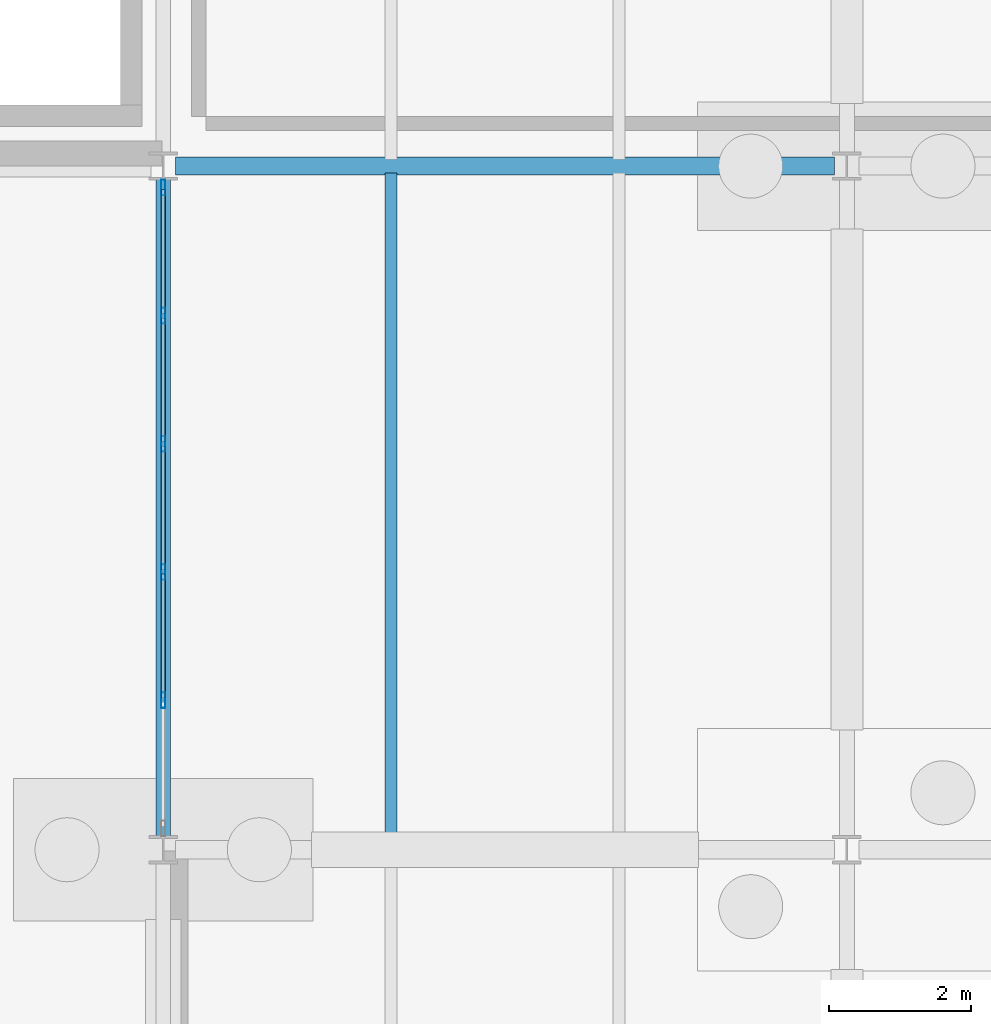
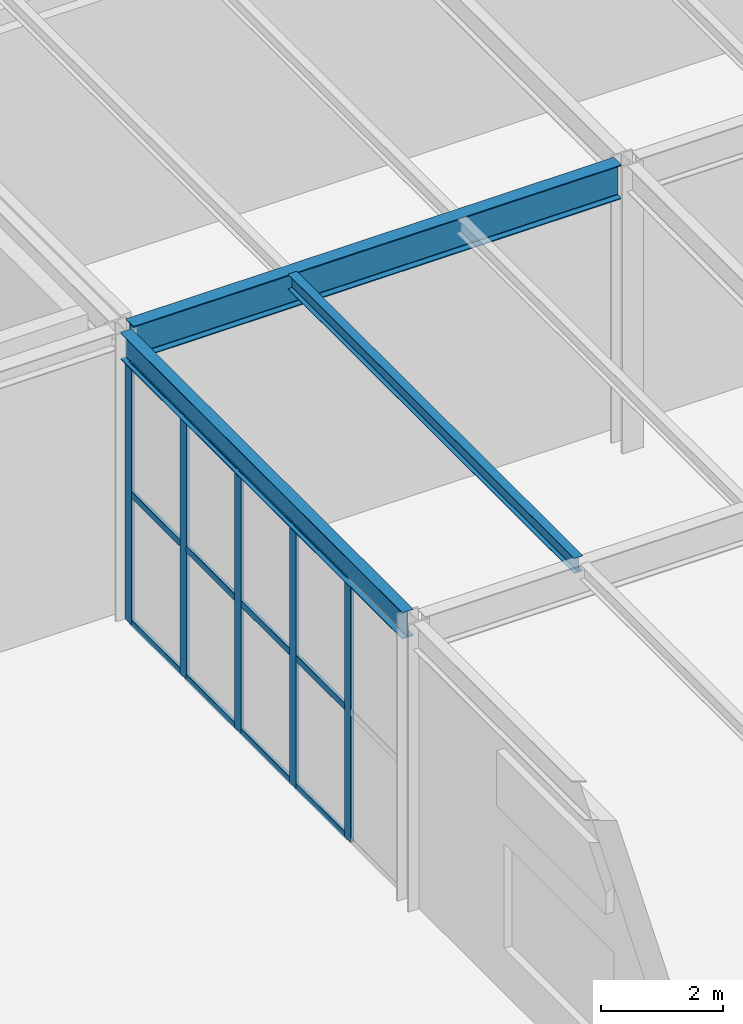
# One storey, part 89 of 142: 17 members, 3 beams, 1 element without a shape of its own.
"""IFC4 building model written with IfcOpenShell, lengths in metres."""

from ifc_helpers import new_model, si_unit, direction, frame, origin, origin_2d, place, context, subcontext, project, spatial, hollow_rectangle, i_section, extrude, material, material_profile, profile_set, type_object, element, aggregate, save


model = new_model("IFC4")

# Units and contexts
model_context = context("Model", 3, precision=1e-05, world=origin(), true_north=direction((0.0, 1.0)))
body_context = subcontext(model_context, "Body", "Model", "MODEL_VIEW")
ifc_project = project(units=[si_unit("LENGTHUNIT", "METRE"), si_unit("AREAUNIT", "SQUARE_METRE"), si_unit("VOLUMEUNIT", "CUBIC_METRE"), si_unit("PLANEANGLEUNIT", "RADIAN"), si_unit("MASSUNIT", "GRAM", prefix="KILO")], contexts=[model_context])

# Site, building, storey
site_placement = place(None, origin())
site = spatial("IfcSite", under=ifc_project, at=site_placement, CompositionType="ELEMENT")
building_placement = place(site_placement, origin())
building = spatial("IfcBuilding", under=site, at=building_placement, Name="Coralgate Yard Interchange", CompositionType="ELEMENT")
storey_placement = place(building_placement, origin())
storey = spatial("IfcBuildingStorey", under=building, at=storey_placement, Name="L00", CompositionType="ELEMENT", Elevation=0.0)

# Beams
ifc_material_1 = material(Name="Structural steel S355J2", Category="steel")
ifc_material_profile_1 = material_profile(ifc_material_1, i_section(OverallWidth=0.209228515625, OverallDepth=0.533203125, WebThickness=0.010009765625, FlangeThickness=0.015625, FilletRadius=0.0126953125, at=origin_2d()), Name="UB 533x210x92")
ifc_profile_set_1 = profile_set([ifc_material_profile_1], Name="Structural steel S355J2")
beam_type_1 = type_object("IfcBeamType", Name="BM-SB-1", PredefinedType="BEAM", material=ifc_profile_set_1)
beam_1_placement = place(storey_placement, frame((153.60009765625, 28.966796875, 5.4833984375), z_axis=(0.0, 1.0, 0.0), x_axis=(-1.0, 0.0, 0.0)))
element("IfcBeam", 1, at=beam_1_placement, inside=storey, type_object=beam_type_1, Name="L00 primary grid girder X16 Y3-4", PredefinedType="BEAM", context=body_context, shape_type="SweptSolid", body=[
    extrude(i_section(OverallWidth=0.209228515625, OverallDepth=0.533203125, WebThickness=0.010009765625, FlangeThickness=0.015625, FilletRadius=0.0126953125, at=origin_2d()), origin(), (0.0, 0.0, 1.0), 9.266357421875),
])
ifc_material_profile_2 = material_profile(ifc_material_1, i_section(OverallWidth=0.253662109375, OverallDepth=0.68359375, WebThickness=0.012451171875, FlangeThickness=0.01904296875, FilletRadius=0.01513671875, at=origin_2d()), Name="UB 686x254x140")
ifc_profile_set_2 = profile_set([ifc_material_profile_2], Name="Structural steel S355J2")
beam_type_2 = type_object("IfcBeamType", Name="BM-SG-4", PredefinedType="BEAM", material=ifc_profile_set_2)
beam_2_placement = place(storey_placement, frame((153.76953125, 38.39990234375, 5.408203125), z_axis=(1.0, 0.0, 0.0), x_axis=(0.0, 1.0, 0.0)))
element("IfcBeam", 2, at=beam_2_placement, inside=storey, type_object=beam_type_2, Name="L00 primary grid beam Y4 X16-17", PredefinedType="BEAM", context=body_context, shape_type="SweptSolid", body=[
    extrude(i_section(OverallWidth=0.253662109375, OverallDepth=0.68359375, WebThickness=0.012451171875, FlangeThickness=0.01904296875, FilletRadius=0.01513671875, at=origin_2d()), origin(), (0.0, 0.0, 1.0), 9.260986328125),
])
ifc_material_profile_3 = material_profile(ifc_material_1, i_section(OverallWidth=0.1650390625, OverallDepth=0.303466796875, WebThickness=0.006103515625, FlangeThickness=0.01025390625, FilletRadius=0.0087890625, at=origin_2d()), Name="UB 305x165x40")
ifc_profile_set_3 = profile_set([ifc_material_profile_3], Name="Structural steel S355J2")
beam_type_3 = type_object("IfcBeamType", Name="BM-SJ-1", PredefinedType="JOIST", material=ifc_profile_set_3)
beam_3_placement = place(storey_placement, frame((156.800048828125, 28.896728515625, 5.598388671875), z_axis=(0.0, 1.0, 0.0), x_axis=(-1.0, 0.0, 0.0)))
element("IfcBeam", 3, at=beam_3_placement, inside=storey, type_object=beam_type_3, Name="L00 composite floor joist 16-3-1", PredefinedType="JOIST", context=body_context, shape_type="SweptSolid", body=[
    extrude(i_section(OverallWidth=0.1650390625, OverallDepth=0.303466796875, WebThickness=0.006103515625, FlangeThickness=0.01025390625, FilletRadius=0.0087890625, at=origin_2d()), origin(), (0.0, 0.0, 1.0), 9.40625),
])

# Curtain wall, members
ifc_material_2 = material(Name="Anodised coastal aluminium and solar-control low-E glass", Category="aluminium")
curtain_wall_type = type_object("IfcCurtainWallType", Name="CW-CW-L00-B", PredefinedType="NOTDEFINED", material=ifc_material_2)
curtain_wall_placement = place(storey_placement, origin())
curtain_wall = element("IfcCurtainWall", 4, at=curtain_wall_placement, inside=storey, type_object=curtain_wall_type, Name="L00 unitised curtain wall CW-L00-W-16-03", PredefinedType="NOTDEFINED")
ifc_material_3 = material(Name="Anodised coastal aluminium 6063-T6", Category="aluminium")
ifc_material_profile_4 = material_profile(ifc_material_3, hollow_rectangle(XDim=0.06005859375, YDim=0.219970703125, WallThickness=0.00390625, InnerFilletRadius=0.00390625, OuterFilletRadius=0.008056640625, at=origin_2d()), Name="ALU 60x220x4")
ifc_profile_set_4 = profile_set([ifc_material_profile_4], Name="Anodised coastal aluminium 6063-T6")
member_type_1 = type_object("IfcMemberType", Name="MB-MUL-220", PredefinedType="MULLION", material=ifc_profile_set_4)
member_1_placement = place(storey_placement, frame((153.60009765625, 30.89990234375, 0.0), z_axis=(0.0, 0.0, 1.0), x_axis=(1.0, 0.0, 0.0)))
member_1 = element("IfcMember", 5, at=member_1_placement, type_object=member_type_1, Name="CW-L00-W-16-03 vertical mullion 2", PredefinedType="MULLION", context=body_context, shape_type="SweptSolid", body=[
    extrude(hollow_rectangle(XDim=0.06005859375, YDim=0.219970703125, WallThickness=0.00390625, InnerFilletRadius=0.00390625, OuterFilletRadius=0.008056640625, at=origin_2d()), origin(), (0.0, 0.0, 1.0), 5.216796875),
])
member_2_placement = place(storey_placement, frame((153.60009765625, 32.699951171875, 0.0), z_axis=(0.0, 0.0, 1.0), x_axis=(1.0, 0.0, 0.0)))
member_2 = element("IfcMember", 6, at=member_2_placement, type_object=member_type_1, Name="CW-L00-W-16-03 vertical mullion 3", PredefinedType="MULLION", context=body_context, shape_type="SweptSolid", body=[
    extrude(hollow_rectangle(XDim=0.06005859375, YDim=0.219970703125, WallThickness=0.00390625, InnerFilletRadius=0.00390625, OuterFilletRadius=0.008056640625, at=origin_2d()), origin(), (0.0, 0.0, 1.0), 5.216796875),
])
member_3_placement = place(storey_placement, frame((153.60009765625, 34.5, 0.0), z_axis=(0.0, 0.0, 1.0), x_axis=(1.0, 0.0, 0.0)))
member_3 = element("IfcMember", 7, at=member_3_placement, type_object=member_type_1, Name="CW-L00-W-16-03 vertical mullion 4", PredefinedType="MULLION", context=body_context, shape_type="SweptSolid", body=[
    extrude(hollow_rectangle(XDim=0.06005859375, YDim=0.219970703125, WallThickness=0.00390625, InnerFilletRadius=0.00390625, OuterFilletRadius=0.008056640625, at=origin_2d()), origin(), (0.0, 0.0, 1.0), 5.216796875),
])
member_4_placement = place(storey_placement, frame((153.60009765625, 36.300048828125, 0.0), z_axis=(0.0, 0.0, 1.0), x_axis=(1.0, 0.0, 0.0)))
member_4 = element("IfcMember", 8, at=member_4_placement, type_object=member_type_1, Name="CW-L00-W-16-03 vertical mullion 5", PredefinedType="MULLION", context=body_context, shape_type="SweptSolid", body=[
    extrude(hollow_rectangle(XDim=0.06005859375, YDim=0.219970703125, WallThickness=0.00390625, InnerFilletRadius=0.00390625, OuterFilletRadius=0.008056640625, at=origin_2d()), origin(), (0.0, 0.0, 1.0), 5.216796875),
])
member_5_placement = place(storey_placement, frame((153.60009765625, 38.10009765625, 0.0), z_axis=(0.0, 0.0, 1.0), x_axis=(1.0, 0.0, 0.0)))
member_5 = element("IfcMember", 9, at=member_5_placement, type_object=member_type_1, Name="CW-L00-W-16-03 vertical mullion 6", PredefinedType="MULLION", context=body_context, shape_type="SweptSolid", body=[
    extrude(hollow_rectangle(XDim=0.06005859375, YDim=0.219970703125, WallThickness=0.00390625, InnerFilletRadius=0.00390625, OuterFilletRadius=0.008056640625, at=origin_2d()), origin(), (0.0, 0.0, 1.0), 5.216796875),
])
ifc_material_profile_5 = material_profile(ifc_material_3, hollow_rectangle(XDim=0.06005859375, YDim=0.139892578125, WallThickness=0.00341796875, InnerFilletRadius=0.00341796875, OuterFilletRadius=0.007080078125, at=origin_2d()), Name="ALU 60x140x3.5")
ifc_profile_set_5 = profile_set([ifc_material_profile_5], Name="Anodised coastal aluminium 6063-T6")
member_type_2 = type_object("IfcMemberType", Name="MB-TRN-140", PredefinedType="USERDEFINED", material=ifc_profile_set_5)
member_6_placement = place(storey_placement, frame((153.60009765625, 30.929931640625, 0.034912109375), z_axis=(0.0, 1.0, 0.0), x_axis=(-1.0, 0.0, 0.0)))
member_6 = element("IfcMember", 10, at=member_6_placement, type_object=member_type_2, Name="CW-L00-W-16-03 horizontal transom 2-1", ObjectType="TRANSOM", PredefinedType="USERDEFINED", context=body_context, shape_type="SweptSolid", body=[
    extrude(hollow_rectangle(XDim=0.06005859375, YDim=0.139892578125, WallThickness=0.00341796875, InnerFilletRadius=0.00341796875, OuterFilletRadius=0.007080078125, at=origin_2d()), origin(), (0.0, 0.0, 1.0), 1.739990234375),
])
member_7_placement = place(storey_placement, frame((153.60009765625, 30.929931640625, 2.6083984375), z_axis=(0.0, 1.0, 0.0), x_axis=(-1.0, 0.0, 0.0)))
member_7 = element("IfcMember", 11, at=member_7_placement, type_object=member_type_2, Name="CW-L00-W-16-03 horizontal transom 2-2", ObjectType="TRANSOM", PredefinedType="USERDEFINED", context=body_context, shape_type="SweptSolid", body=[
    extrude(hollow_rectangle(XDim=0.06005859375, YDim=0.139892578125, WallThickness=0.00341796875, InnerFilletRadius=0.00341796875, OuterFilletRadius=0.007080078125, at=origin_2d()), origin(), (0.0, 0.0, 1.0), 1.739990234375),
])
member_8_placement = place(storey_placement, frame((153.60009765625, 30.929931640625, 5.181884765625), z_axis=(0.0, 1.0, 0.0), x_axis=(-1.0, 0.0, 0.0)))
member_8 = element("IfcMember", 12, at=member_8_placement, type_object=member_type_2, Name="CW-L00-W-16-03 horizontal transom 2-3", ObjectType="TRANSOM", PredefinedType="USERDEFINED", context=body_context, shape_type="SweptSolid", body=[
    extrude(hollow_rectangle(XDim=0.06005859375, YDim=0.139892578125, WallThickness=0.00341796875, InnerFilletRadius=0.00341796875, OuterFilletRadius=0.007080078125, at=origin_2d()), origin(), (0.0, 0.0, 1.0), 1.739990234375),
])
member_9_placement = place(storey_placement, frame((153.60009765625, 32.72998046875, 0.034912109375), z_axis=(0.0, 1.0, 0.0), x_axis=(-1.0, 0.0, 0.0)))
member_9 = element("IfcMember", 13, at=member_9_placement, type_object=member_type_2, Name="CW-L00-W-16-03 horizontal transom 3-1", ObjectType="TRANSOM", PredefinedType="USERDEFINED", context=body_context, shape_type="SweptSolid", body=[
    extrude(hollow_rectangle(XDim=0.06005859375, YDim=0.139892578125, WallThickness=0.00341796875, InnerFilletRadius=0.00341796875, OuterFilletRadius=0.007080078125, at=origin_2d()), origin(), (0.0, 0.0, 1.0), 1.739990234375),
])
member_10_placement = place(storey_placement, frame((153.60009765625, 32.72998046875, 2.6083984375), z_axis=(0.0, 1.0, 0.0), x_axis=(-1.0, 0.0, 0.0)))
member_10 = element("IfcMember", 14, at=member_10_placement, type_object=member_type_2, Name="CW-L00-W-16-03 horizontal transom 3-2", ObjectType="TRANSOM", PredefinedType="USERDEFINED", context=body_context, shape_type="SweptSolid", body=[
    extrude(hollow_rectangle(XDim=0.06005859375, YDim=0.139892578125, WallThickness=0.00341796875, InnerFilletRadius=0.00341796875, OuterFilletRadius=0.007080078125, at=origin_2d()), origin(), (0.0, 0.0, 1.0), 1.739990234375),
])
member_11_placement = place(storey_placement, frame((153.60009765625, 32.72998046875, 5.181884765625), z_axis=(0.0, 1.0, 0.0), x_axis=(-1.0, 0.0, 0.0)))
member_11 = element("IfcMember", 15, at=member_11_placement, type_object=member_type_2, Name="CW-L00-W-16-03 horizontal transom 3-3", ObjectType="TRANSOM", PredefinedType="USERDEFINED", context=body_context, shape_type="SweptSolid", body=[
    extrude(hollow_rectangle(XDim=0.06005859375, YDim=0.139892578125, WallThickness=0.00341796875, InnerFilletRadius=0.00341796875, OuterFilletRadius=0.007080078125, at=origin_2d()), origin(), (0.0, 0.0, 1.0), 1.739990234375),
])
member_12_placement = place(storey_placement, frame((153.60009765625, 34.530029296875, 0.034912109375), z_axis=(0.0, 1.0, 0.0), x_axis=(-1.0, 0.0, 0.0)))
member_12 = element("IfcMember", 16, at=member_12_placement, type_object=member_type_2, Name="CW-L00-W-16-03 horizontal transom 4-1", ObjectType="TRANSOM", PredefinedType="USERDEFINED", context=body_context, shape_type="SweptSolid", body=[
    extrude(hollow_rectangle(XDim=0.06005859375, YDim=0.139892578125, WallThickness=0.00341796875, InnerFilletRadius=0.00341796875, OuterFilletRadius=0.007080078125, at=origin_2d()), origin(), (0.0, 0.0, 1.0), 1.739990234375),
])
member_13_placement = place(storey_placement, frame((153.60009765625, 34.530029296875, 2.6083984375), z_axis=(0.0, 1.0, 0.0), x_axis=(-1.0, 0.0, 0.0)))
member_13 = element("IfcMember", 17, at=member_13_placement, type_object=member_type_2, Name="CW-L00-W-16-03 horizontal transom 4-2", ObjectType="TRANSOM", PredefinedType="USERDEFINED", context=body_context, shape_type="SweptSolid", body=[
    extrude(hollow_rectangle(XDim=0.06005859375, YDim=0.139892578125, WallThickness=0.00341796875, InnerFilletRadius=0.00341796875, OuterFilletRadius=0.007080078125, at=origin_2d()), origin(), (0.0, 0.0, 1.0), 1.739990234375),
])
member_14_placement = place(storey_placement, frame((153.60009765625, 34.530029296875, 5.181884765625), z_axis=(0.0, 1.0, 0.0), x_axis=(-1.0, 0.0, 0.0)))
member_14 = element("IfcMember", 18, at=member_14_placement, type_object=member_type_2, Name="CW-L00-W-16-03 horizontal transom 4-3", ObjectType="TRANSOM", PredefinedType="USERDEFINED", context=body_context, shape_type="SweptSolid", body=[
    extrude(hollow_rectangle(XDim=0.06005859375, YDim=0.139892578125, WallThickness=0.00341796875, InnerFilletRadius=0.00341796875, OuterFilletRadius=0.007080078125, at=origin_2d()), origin(), (0.0, 0.0, 1.0), 1.739990234375),
])
member_15_placement = place(storey_placement, frame((153.60009765625, 36.330078125, 0.034912109375), z_axis=(0.0, 1.0, 0.0), x_axis=(-1.0, 0.0, 0.0)))
member_15 = element("IfcMember", 19, at=member_15_placement, type_object=member_type_2, Name="CW-L00-W-16-03 horizontal transom 5-1", ObjectType="TRANSOM", PredefinedType="USERDEFINED", context=body_context, shape_type="SweptSolid", body=[
    extrude(hollow_rectangle(XDim=0.06005859375, YDim=0.139892578125, WallThickness=0.00341796875, InnerFilletRadius=0.00341796875, OuterFilletRadius=0.007080078125, at=origin_2d()), origin(), (0.0, 0.0, 1.0), 1.739990234375),
])
member_16_placement = place(storey_placement, frame((153.60009765625, 36.330078125, 2.6083984375), z_axis=(0.0, 1.0, 0.0), x_axis=(-1.0, 0.0, 0.0)))
member_16 = element("IfcMember", 20, at=member_16_placement, type_object=member_type_2, Name="CW-L00-W-16-03 horizontal transom 5-2", ObjectType="TRANSOM", PredefinedType="USERDEFINED", context=body_context, shape_type="SweptSolid", body=[
    extrude(hollow_rectangle(XDim=0.06005859375, YDim=0.139892578125, WallThickness=0.00341796875, InnerFilletRadius=0.00341796875, OuterFilletRadius=0.007080078125, at=origin_2d()), origin(), (0.0, 0.0, 1.0), 1.739990234375),
])
member_17_placement = place(storey_placement, frame((153.60009765625, 36.330078125, 5.181884765625), z_axis=(0.0, 1.0, 0.0), x_axis=(-1.0, 0.0, 0.0)))
member_17 = element("IfcMember", 21, at=member_17_placement, type_object=member_type_2, Name="CW-L00-W-16-03 horizontal transom 5-3", ObjectType="TRANSOM", PredefinedType="USERDEFINED", context=body_context, shape_type="SweptSolid", body=[
    extrude(hollow_rectangle(XDim=0.06005859375, YDim=0.139892578125, WallThickness=0.00341796875, InnerFilletRadius=0.00341796875, OuterFilletRadius=0.007080078125, at=origin_2d()), origin(), (0.0, 0.0, 1.0), 1.739990234375),
])
aggregate(curtain_wall, [member_1, member_2, member_3, member_4, member_5, member_6, member_7, member_8, member_9, member_10, member_11, member_12, member_13, member_14, member_15, member_16, member_17])

save(model, "model.ifc")
